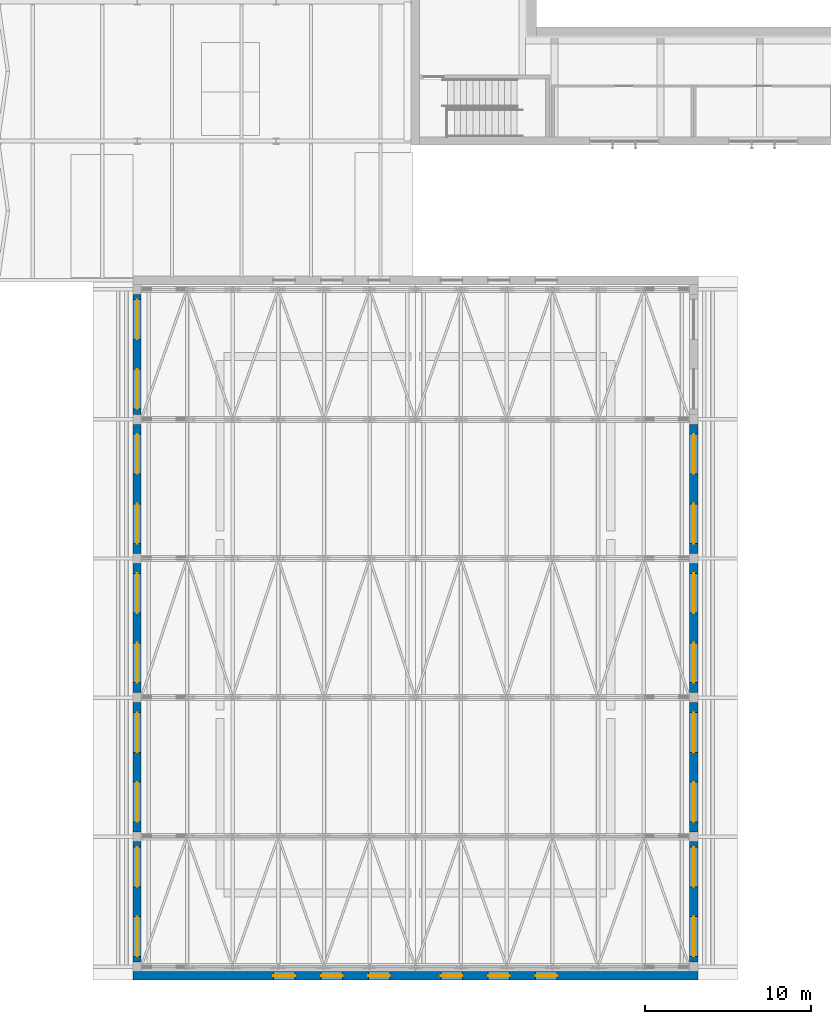
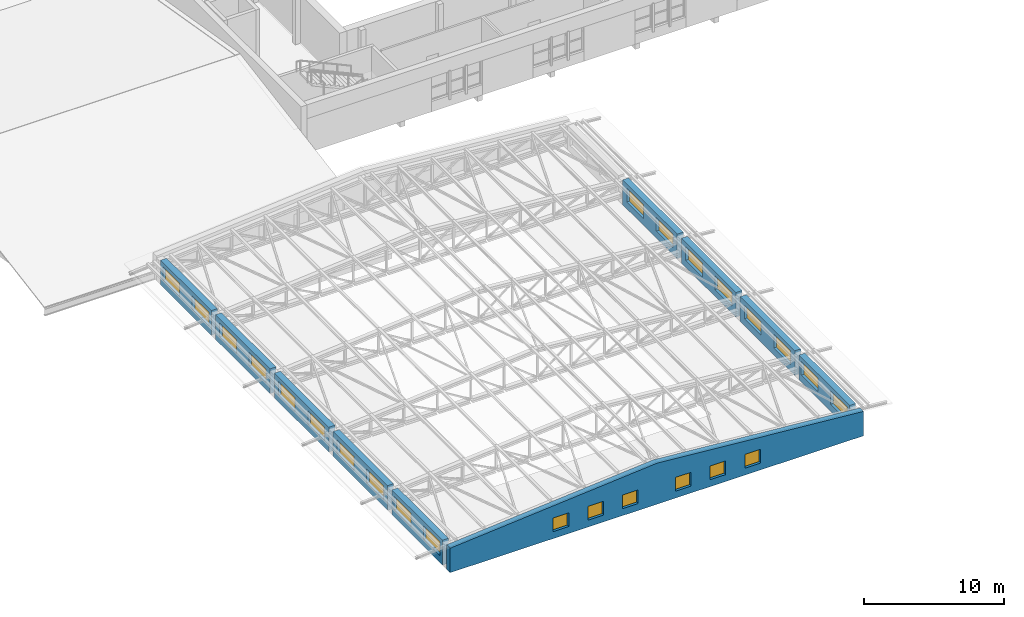
# One storey, part 38 of 60: 24 windows, 10 walls, 24 openings.
"""IFC4 building model written with IfcOpenShell, lengths in metres."""

from ifc_helpers import new_model, si_unit, direction, frame, frame_2d, origin, place, context, subcontext, project, spatial, polyline, rectangle, outline, extrude, material, layer, layer_set, type_object, element, fill, save


model = new_model("IFC4")

# Units and contexts
model_context = context("Model", 3, precision=1e-05, world=origin(), true_north=direction((0.0, 1.0)))
body_context = subcontext(model_context, "Body", "Model", "MODEL_VIEW")
ifc_project = project(units=[si_unit("LENGTHUNIT", "METRE"), si_unit("AREAUNIT", "SQUARE_METRE"), si_unit("VOLUMEUNIT", "CUBIC_METRE"), si_unit("PLANEANGLEUNIT", "RADIAN"), si_unit("MASSUNIT", "GRAM", prefix="KILO")], contexts=[model_context])

# Site, building, storey
site_placement = place(None, origin())
site = spatial("IfcSite", under=ifc_project, at=site_placement, CompositionType="ELEMENT")
building_placement = place(site_placement, origin())
building = spatial("IfcBuilding", under=site, at=building_placement, Name="Ljudholm Concert House", CompositionType="ELEMENT")
storey_placement = place(building_placement, frame((0.0, 0.0, 15.0)))
storey = spatial("IfcBuildingStorey", under=building, at=storey_placement, Name="L03", CompositionType="ELEMENT", Elevation=15.0)

# Wall, openings, windows
ifc_material_1 = material(Name="Concrete 6,500 psi", Category="concrete")
ifc_layer = layer(ifc_material_1, 0.5)
ifc_layer_set = layer_set([ifc_layer], Name="Concrete 6,500 psi")
wall_type = type_object("IfcWallType", Name="RC WALL 500", PredefinedType="SOLIDWALL", material=ifc_layer_set)
wall_1_placement = place(storey_placement, frame((12.39990234375, 4.85009765625, 0.0), z_axis=(0.0, 0.0, 1.0), x_axis=(0.0, 1.0, 0.0)))
wall_1 = element("IfcWall", 1, at=wall_1_placement, inside=storey, type_object=wall_type, Name="Outer wall W", PredefinedType="SOLIDWALL", context=body_context, shape_type="SweptSolid", body=[
    extrude(rectangle(XDim=7.25, YDim=0.5, at=frame_2d((3.625, 0.0))), origin(), (0.0, 0.0, 1.0), 2.1611328125),
])
opening_1_placement = place(wall_1_placement, frame((0.324951171875, 0.0, 0.60009765625)))
opening_1 = element("IfcOpeningElement", 2, at=opening_1_placement, cuts=wall_1, Name="Opening X-C03-001", PredefinedType="OPENING", context=body_context, shape_type="SweptSolid", body=[
    extrude(rectangle(XDim=2.39990234375, YDim=1.199951171875, at=frame_2d((1.199951171875, 0.60009765625))), frame((0.0, 0.260009765625, 0.0), z_axis=(0.0, -1.0, 0.0), x_axis=(1.0, 0.0, 0.0)), (0.0, 0.0, 1.0), 0.52001953125),
])
opening_2_placement = place(wall_1_placement, frame((4.52490234375, 0.0, 0.60009765625)))
opening_2 = element("IfcOpeningElement", 3, at=opening_2_placement, cuts=wall_1, Name="Opening X-C03-002", PredefinedType="OPENING", context=body_context, shape_type="SweptSolid", body=[
    extrude(rectangle(XDim=2.39990234375, YDim=1.199951171875, at=frame_2d((1.199951171875, 0.60009765625))), frame((0.0, 0.260009765625, 0.0), z_axis=(0.0, -1.0, 0.0), x_axis=(1.0, 0.0, 0.0)), (0.0, 0.0, 1.0), 0.52001953125),
])
ifc_material_2 = material(Name="Aluminium frame, impact glazing", Category="aluminium")
window_type_1 = type_object("IfcWindowType", Name="FIXED WINDOW 2400x1200", PartitioningType="SINGLE_PANEL", PredefinedType="WINDOW", material=ifc_material_2)
window_1_placement = place(opening_1_placement, origin())
window_1 = element("IfcWindow", 4, at=window_1_placement, inside=storey, type_object=window_type_1, Name="Clerestory window", OverallHeight=1.199951171875, OverallWidth=2.39990234375, PartitioningType="SINGLE_PANEL", PredefinedType="WINDOW", context=body_context, shape_type="SweptSolid", body=[
    extrude(rectangle(XDim=2.39990234375, YDim=1.199951171875, at=frame_2d((1.199951171875, 0.60009765625))), frame((0.0, 0.030029296875, 0.0), z_axis=(0.0, -1.0, 0.0), x_axis=(1.0, 0.0, 0.0)), (0.0, 0.0, 1.0), 0.06005859375),
])
fill(opening_1, window_1)
window_2_placement = place(opening_2_placement, origin())
window_2 = element("IfcWindow", 5, at=window_2_placement, inside=storey, type_object=window_type_1, Name="Clerestory window", OverallHeight=1.199951171875, OverallWidth=2.39990234375, PartitioningType="SINGLE_PANEL", PredefinedType="WINDOW", context=body_context, shape_type="SweptSolid", body=[
    extrude(rectangle(XDim=2.39990234375, YDim=1.199951171875, at=frame_2d((1.199951171875, 0.60009765625))), frame((0.0, 0.030029296875, 0.0), z_axis=(0.0, -1.0, 0.0), x_axis=(1.0, 0.0, 0.0)), (0.0, 0.0, 1.0), 0.06005859375),
])
fill(opening_2, window_2)

wall_2_placement = place(storey_placement, frame((12.39990234375, 12.699951171875, 0.0), z_axis=(0.0, 0.0, 1.0), x_axis=(0.0, 1.0, 0.0)))
wall_2 = element("IfcWall", 6, at=wall_2_placement, inside=storey, type_object=wall_type, Name="Outer wall W", PredefinedType="SOLIDWALL", context=body_context, shape_type="SweptSolid", body=[
    extrude(rectangle(XDim=7.800048828125, YDim=0.5, at=frame_2d((3.89990234375, 0.0))), origin(), (0.0, 0.0, 1.0), 2.1611328125),
])
opening_3_placement = place(wall_2_placement, frame((0.60009765625, 0.0, 0.60009765625)))
opening_3 = element("IfcOpeningElement", 7, at=opening_3_placement, cuts=wall_2, Name="Opening X-C03-003", PredefinedType="OPENING", context=body_context, shape_type="SweptSolid", body=[
    extrude(rectangle(XDim=2.39990234375, YDim=1.199951171875, at=frame_2d((1.199951171875, 0.60009765625))), frame((0.0, 0.260009765625, 0.0), z_axis=(0.0, -1.0, 0.0), x_axis=(1.0, 0.0, 0.0)), (0.0, 0.0, 1.0), 0.52001953125),
])
opening_4_placement = place(wall_2_placement, frame((4.800048828125, 0.0, 0.60009765625)))
opening_4 = element("IfcOpeningElement", 8, at=opening_4_placement, cuts=wall_2, Name="Opening X-C03-004", PredefinedType="OPENING", context=body_context, shape_type="SweptSolid", body=[
    extrude(rectangle(XDim=2.39990234375, YDim=1.199951171875, at=frame_2d((1.199951171875, 0.60009765625))), frame((0.0, 0.260009765625, 0.0), z_axis=(0.0, -1.0, 0.0), x_axis=(1.0, 0.0, 0.0)), (0.0, 0.0, 1.0), 0.52001953125),
])
window_3_placement = place(opening_3_placement, origin())
window_3 = element("IfcWindow", 9, at=window_3_placement, inside=storey, type_object=window_type_1, Name="Clerestory window", OverallHeight=1.199951171875, OverallWidth=2.39990234375, PartitioningType="SINGLE_PANEL", PredefinedType="WINDOW", context=body_context, shape_type="SweptSolid", body=[
    extrude(rectangle(XDim=2.39990234375, YDim=1.199951171875, at=frame_2d((1.199951171875, 0.60009765625))), frame((0.0, 0.030029296875, 0.0), z_axis=(0.0, -1.0, 0.0), x_axis=(1.0, 0.0, 0.0)), (0.0, 0.0, 1.0), 0.06005859375),
])
fill(opening_3, window_3)
window_4_placement = place(opening_4_placement, origin())
window_4 = element("IfcWindow", 10, at=window_4_placement, inside=storey, type_object=window_type_1, Name="Clerestory window", OverallHeight=1.199951171875, OverallWidth=2.39990234375, PartitioningType="SINGLE_PANEL", PredefinedType="WINDOW", context=body_context, shape_type="SweptSolid", body=[
    extrude(rectangle(XDim=2.39990234375, YDim=1.199951171875, at=frame_2d((1.199951171875, 0.60009765625))), frame((0.0, 0.030029296875, 0.0), z_axis=(0.0, -1.0, 0.0), x_axis=(1.0, 0.0, 0.0)), (0.0, 0.0, 1.0), 0.06005859375),
])
fill(opening_4, window_4)

wall_3_placement = place(storey_placement, frame((12.39990234375, 21.10009765625, 0.0), z_axis=(0.0, 0.0, 1.0), x_axis=(0.0, 1.0, 0.0)))
wall_3 = element("IfcWall", 11, at=wall_3_placement, inside=storey, type_object=wall_type, Name="Outer wall W", PredefinedType="SOLIDWALL", context=body_context, shape_type="SweptSolid", body=[
    extrude(rectangle(XDim=7.7998046875, YDim=0.5, at=frame_2d((3.89990234375, 0.0))), origin(), (0.0, 0.0, 1.0), 2.1611328125),
])
opening_5_placement = place(wall_3_placement, frame((0.60009765625, 0.0, 0.60009765625)))
opening_5 = element("IfcOpeningElement", 12, at=opening_5_placement, cuts=wall_3, Name="Opening X-C03-005", PredefinedType="OPENING", context=body_context, shape_type="SweptSolid", body=[
    extrude(rectangle(XDim=2.39990234375, YDim=1.199951171875, at=frame_2d((1.199951171875, 0.60009765625))), frame((0.0, 0.260009765625, 0.0), z_axis=(0.0, -1.0, 0.0), x_axis=(1.0, 0.0, 0.0)), (0.0, 0.0, 1.0), 0.52001953125),
])
opening_6_placement = place(wall_3_placement, frame((4.800048828125, 0.0, 0.60009765625)))
opening_6 = element("IfcOpeningElement", 13, at=opening_6_placement, cuts=wall_3, Name="Opening X-C03-006", PredefinedType="OPENING", context=body_context, shape_type="SweptSolid", body=[
    extrude(rectangle(XDim=2.39990234375, YDim=1.199951171875, at=frame_2d((1.199951171875, 0.60009765625))), frame((0.0, 0.260009765625, 0.0), z_axis=(0.0, -1.0, 0.0), x_axis=(1.0, 0.0, 0.0)), (0.0, 0.0, 1.0), 0.52001953125),
])
window_5_placement = place(opening_5_placement, origin())
window_5 = element("IfcWindow", 14, at=window_5_placement, inside=storey, type_object=window_type_1, Name="Clerestory window", OverallHeight=1.199951171875, OverallWidth=2.39990234375, PartitioningType="SINGLE_PANEL", PredefinedType="WINDOW", context=body_context, shape_type="SweptSolid", body=[
    extrude(rectangle(XDim=2.39990234375, YDim=1.199951171875, at=frame_2d((1.199951171875, 0.60009765625))), frame((0.0, 0.030029296875, 0.0), z_axis=(0.0, -1.0, 0.0), x_axis=(1.0, 0.0, 0.0)), (0.0, 0.0, 1.0), 0.06005859375),
])
fill(opening_5, window_5)
window_6_placement = place(opening_6_placement, origin())
window_6 = element("IfcWindow", 15, at=window_6_placement, inside=storey, type_object=window_type_1, Name="Clerestory window", OverallHeight=1.199951171875, OverallWidth=2.39990234375, PartitioningType="SINGLE_PANEL", PredefinedType="WINDOW", context=body_context, shape_type="SweptSolid", body=[
    extrude(rectangle(XDim=2.39990234375, YDim=1.199951171875, at=frame_2d((1.199951171875, 0.60009765625))), frame((0.0, 0.030029296875, 0.0), z_axis=(0.0, -1.0, 0.0), x_axis=(1.0, 0.0, 0.0)), (0.0, 0.0, 1.0), 0.06005859375),
])
fill(opening_6, window_6)

wall_4_placement = place(storey_placement, frame((12.39990234375, 29.5, 0.0), z_axis=(0.0, 0.0, 1.0), x_axis=(0.0, 1.0, 0.0)))
wall_4 = element("IfcWall", 16, at=wall_4_placement, inside=storey, type_object=wall_type, Name="Outer wall W", PredefinedType="SOLIDWALL", context=body_context, shape_type="SweptSolid", body=[
    extrude(rectangle(XDim=7.800048828125, YDim=0.5, at=frame_2d((3.89990234375, 0.0))), origin(), (0.0, 0.0, 1.0), 2.1611328125),
])
opening_7_placement = place(wall_4_placement, frame((0.60009765625, 0.0, 0.60009765625)))
opening_7 = element("IfcOpeningElement", 17, at=opening_7_placement, cuts=wall_4, Name="Opening X-C03-007", PredefinedType="OPENING", context=body_context, shape_type="SweptSolid", body=[
    extrude(rectangle(XDim=2.39990234375, YDim=1.199951171875, at=frame_2d((1.199951171875, 0.60009765625))), frame((0.0, 0.260009765625, 0.0), z_axis=(0.0, -1.0, 0.0), x_axis=(1.0, 0.0, 0.0)), (0.0, 0.0, 1.0), 0.52001953125),
])
opening_8_placement = place(wall_4_placement, frame((4.800048828125, 0.0, 0.60009765625)))
opening_8 = element("IfcOpeningElement", 18, at=opening_8_placement, cuts=wall_4, Name="Opening X-C03-008", PredefinedType="OPENING", context=body_context, shape_type="SweptSolid", body=[
    extrude(rectangle(XDim=2.39990234375, YDim=1.199951171875, at=frame_2d((1.199951171875, 0.60009765625))), frame((0.0, 0.260009765625, 0.0), z_axis=(0.0, -1.0, 0.0), x_axis=(1.0, 0.0, 0.0)), (0.0, 0.0, 1.0), 0.52001953125),
])
window_7_placement = place(opening_7_placement, origin())
window_7 = element("IfcWindow", 19, at=window_7_placement, inside=storey, type_object=window_type_1, Name="Clerestory window", OverallHeight=1.199951171875, OverallWidth=2.39990234375, PartitioningType="SINGLE_PANEL", PredefinedType="WINDOW", context=body_context, shape_type="SweptSolid", body=[
    extrude(rectangle(XDim=2.39990234375, YDim=1.199951171875, at=frame_2d((1.199951171875, 0.60009765625))), frame((0.0, 0.030029296875, 0.0), z_axis=(0.0, -1.0, 0.0), x_axis=(1.0, 0.0, 0.0)), (0.0, 0.0, 1.0), 0.06005859375),
])
fill(opening_7, window_7)
window_8_placement = place(opening_8_placement, origin())
window_8 = element("IfcWindow", 20, at=window_8_placement, inside=storey, type_object=window_type_1, Name="Clerestory window", OverallHeight=1.199951171875, OverallWidth=2.39990234375, PartitioningType="SINGLE_PANEL", PredefinedType="WINDOW", context=body_context, shape_type="SweptSolid", body=[
    extrude(rectangle(XDim=2.39990234375, YDim=1.199951171875, at=frame_2d((1.199951171875, 0.60009765625))), frame((0.0, 0.030029296875, 0.0), z_axis=(0.0, -1.0, 0.0), x_axis=(1.0, 0.0, 0.0)), (0.0, 0.0, 1.0), 0.06005859375),
])
fill(opening_8, window_8)

wall_5_placement = place(storey_placement, frame((12.39990234375, 37.89990234375, 0.0), z_axis=(0.0, 0.0, 1.0), x_axis=(0.0, 1.0, 0.0)))
wall_5 = element("IfcWall", 21, at=wall_5_placement, inside=storey, type_object=wall_type, Name="Outer wall W", PredefinedType="SOLIDWALL", context=body_context, shape_type="SweptSolid", body=[
    extrude(rectangle(XDim=7.25, YDim=0.5, at=frame_2d((3.625, 0.0))), origin(), (0.0, 0.0, 1.0), 2.1611328125),
])
opening_9_placement = place(wall_5_placement, frame((0.324951171875, 0.0, 0.60009765625)))
opening_9 = element("IfcOpeningElement", 22, at=opening_9_placement, cuts=wall_5, Name="Opening X-C03-009", PredefinedType="OPENING", context=body_context, shape_type="SweptSolid", body=[
    extrude(rectangle(XDim=2.39990234375, YDim=1.199951171875, at=frame_2d((1.199951171875, 0.60009765625))), frame((0.0, 0.260009765625, 0.0), z_axis=(0.0, -1.0, 0.0), x_axis=(1.0, 0.0, 0.0)), (0.0, 0.0, 1.0), 0.52001953125),
])
opening_10_placement = place(wall_5_placement, frame((4.52490234375, 0.0, 0.60009765625)))
opening_10 = element("IfcOpeningElement", 23, at=opening_10_placement, cuts=wall_5, Name="Opening X-C03-010", PredefinedType="OPENING", context=body_context, shape_type="SweptSolid", body=[
    extrude(rectangle(XDim=2.39990234375, YDim=1.199951171875, at=frame_2d((1.199951171875, 0.60009765625))), frame((0.0, 0.260009765625, 0.0), z_axis=(0.0, -1.0, 0.0), x_axis=(1.0, 0.0, 0.0)), (0.0, 0.0, 1.0), 0.52001953125),
])
window_9_placement = place(opening_9_placement, origin())
window_9 = element("IfcWindow", 24, at=window_9_placement, inside=storey, type_object=window_type_1, Name="Clerestory window", OverallHeight=1.199951171875, OverallWidth=2.39990234375, PartitioningType="SINGLE_PANEL", PredefinedType="WINDOW", context=body_context, shape_type="SweptSolid", body=[
    extrude(rectangle(XDim=2.39990234375, YDim=1.199951171875, at=frame_2d((1.199951171875, 0.60009765625))), frame((0.0, 0.030029296875, 0.0), z_axis=(0.0, -1.0, 0.0), x_axis=(1.0, 0.0, 0.0)), (0.0, 0.0, 1.0), 0.06005859375),
])
fill(opening_9, window_9)
window_10_placement = place(opening_10_placement, origin())
window_10 = element("IfcWindow", 25, at=window_10_placement, inside=storey, type_object=window_type_1, Name="Clerestory window", OverallHeight=1.199951171875, OverallWidth=2.39990234375, PartitioningType="SINGLE_PANEL", PredefinedType="WINDOW", context=body_context, shape_type="SweptSolid", body=[
    extrude(rectangle(XDim=2.39990234375, YDim=1.199951171875, at=frame_2d((1.199951171875, 0.60009765625))), frame((0.0, 0.030029296875, 0.0), z_axis=(0.0, -1.0, 0.0), x_axis=(1.0, 0.0, 0.0)), (0.0, 0.0, 1.0), 0.06005859375),
])
fill(opening_10, window_10)

wall_6_placement = place(storey_placement, frame((46.0, 4.85009765625, 0.0), z_axis=(0.0, 0.0, 1.0), x_axis=(0.0, 1.0, 0.0)))
wall_6 = element("IfcWall", 26, at=wall_6_placement, inside=storey, type_object=wall_type, Name="Outer wall E", PredefinedType="SOLIDWALL", context=body_context, shape_type="SweptSolid", body=[
    extrude(rectangle(XDim=7.25, YDim=0.5, at=frame_2d((3.625, 0.0))), origin(), (0.0, 0.0, 1.0), 2.1611328125),
])
opening_11_placement = place(wall_6_placement, frame((0.324951171875, 0.0, 0.60009765625)))
opening_11 = element("IfcOpeningElement", 27, at=opening_11_placement, cuts=wall_6, Name="Opening X-C03-011", PredefinedType="OPENING", context=body_context, shape_type="SweptSolid", body=[
    extrude(rectangle(XDim=2.39990234375, YDim=1.199951171875, at=frame_2d((1.199951171875, 0.60009765625))), frame((0.0, 0.260009765625, 0.0), z_axis=(0.0, -1.0, 0.0), x_axis=(1.0, 0.0, 0.0)), (0.0, 0.0, 1.0), 0.52001953125),
])
opening_12_placement = place(wall_6_placement, frame((4.52490234375, 0.0, 0.60009765625)))
opening_12 = element("IfcOpeningElement", 28, at=opening_12_placement, cuts=wall_6, Name="Opening X-C03-012", PredefinedType="OPENING", context=body_context, shape_type="SweptSolid", body=[
    extrude(rectangle(XDim=2.39990234375, YDim=1.199951171875, at=frame_2d((1.199951171875, 0.60009765625))), frame((0.0, 0.260009765625, 0.0), z_axis=(0.0, -1.0, 0.0), x_axis=(1.0, 0.0, 0.0)), (0.0, 0.0, 1.0), 0.52001953125),
])
window_11_placement = place(opening_11_placement, origin())
window_11 = element("IfcWindow", 29, at=window_11_placement, inside=storey, type_object=window_type_1, Name="Clerestory window", OverallHeight=1.199951171875, OverallWidth=2.39990234375, PartitioningType="SINGLE_PANEL", PredefinedType="WINDOW", context=body_context, shape_type="SweptSolid", body=[
    extrude(rectangle(XDim=2.39990234375, YDim=1.199951171875, at=frame_2d((1.199951171875, 0.60009765625))), frame((0.0, 0.030029296875, 0.0), z_axis=(0.0, -1.0, 0.0), x_axis=(1.0, 0.0, 0.0)), (0.0, 0.0, 1.0), 0.06005859375),
])
fill(opening_11, window_11)
window_12_placement = place(opening_12_placement, origin())
window_12 = element("IfcWindow", 30, at=window_12_placement, inside=storey, type_object=window_type_1, Name="Clerestory window", OverallHeight=1.199951171875, OverallWidth=2.39990234375, PartitioningType="SINGLE_PANEL", PredefinedType="WINDOW", context=body_context, shape_type="SweptSolid", body=[
    extrude(rectangle(XDim=2.39990234375, YDim=1.199951171875, at=frame_2d((1.199951171875, 0.60009765625))), frame((0.0, 0.030029296875, 0.0), z_axis=(0.0, -1.0, 0.0), x_axis=(1.0, 0.0, 0.0)), (0.0, 0.0, 1.0), 0.06005859375),
])
fill(opening_12, window_12)

wall_7_placement = place(storey_placement, frame((46.0, 12.699951171875, 0.0), z_axis=(0.0, 0.0, 1.0), x_axis=(0.0, 1.0, 0.0)))
wall_7 = element("IfcWall", 31, at=wall_7_placement, inside=storey, type_object=wall_type, Name="Outer wall E", PredefinedType="SOLIDWALL", context=body_context, shape_type="SweptSolid", body=[
    extrude(rectangle(XDim=7.800048828125, YDim=0.5, at=frame_2d((3.89990234375, 0.0))), origin(), (0.0, 0.0, 1.0), 2.1611328125),
])
opening_13_placement = place(wall_7_placement, frame((0.60009765625, 0.0, 0.60009765625)))
opening_13 = element("IfcOpeningElement", 32, at=opening_13_placement, cuts=wall_7, Name="Opening X-C03-013", PredefinedType="OPENING", context=body_context, shape_type="SweptSolid", body=[
    extrude(rectangle(XDim=2.39990234375, YDim=1.199951171875, at=frame_2d((1.199951171875, 0.60009765625))), frame((0.0, 0.260009765625, 0.0), z_axis=(0.0, -1.0, 0.0), x_axis=(1.0, 0.0, 0.0)), (0.0, 0.0, 1.0), 0.52001953125),
])
opening_14_placement = place(wall_7_placement, frame((4.800048828125, 0.0, 0.60009765625)))
opening_14 = element("IfcOpeningElement", 33, at=opening_14_placement, cuts=wall_7, Name="Opening X-C03-014", PredefinedType="OPENING", context=body_context, shape_type="SweptSolid", body=[
    extrude(rectangle(XDim=2.39990234375, YDim=1.199951171875, at=frame_2d((1.199951171875, 0.60009765625))), frame((0.0, 0.260009765625, 0.0), z_axis=(0.0, -1.0, 0.0), x_axis=(1.0, 0.0, 0.0)), (0.0, 0.0, 1.0), 0.52001953125),
])
window_13_placement = place(opening_13_placement, origin())
window_13 = element("IfcWindow", 34, at=window_13_placement, inside=storey, type_object=window_type_1, Name="Clerestory window", OverallHeight=1.199951171875, OverallWidth=2.39990234375, PartitioningType="SINGLE_PANEL", PredefinedType="WINDOW", context=body_context, shape_type="SweptSolid", body=[
    extrude(rectangle(XDim=2.39990234375, YDim=1.199951171875, at=frame_2d((1.199951171875, 0.60009765625))), frame((0.0, 0.030029296875, 0.0), z_axis=(0.0, -1.0, 0.0), x_axis=(1.0, 0.0, 0.0)), (0.0, 0.0, 1.0), 0.06005859375),
])
fill(opening_13, window_13)
window_14_placement = place(opening_14_placement, origin())
window_14 = element("IfcWindow", 35, at=window_14_placement, inside=storey, type_object=window_type_1, Name="Clerestory window", OverallHeight=1.199951171875, OverallWidth=2.39990234375, PartitioningType="SINGLE_PANEL", PredefinedType="WINDOW", context=body_context, shape_type="SweptSolid", body=[
    extrude(rectangle(XDim=2.39990234375, YDim=1.199951171875, at=frame_2d((1.199951171875, 0.60009765625))), frame((0.0, 0.030029296875, 0.0), z_axis=(0.0, -1.0, 0.0), x_axis=(1.0, 0.0, 0.0)), (0.0, 0.0, 1.0), 0.06005859375),
])
fill(opening_14, window_14)

wall_8_placement = place(storey_placement, frame((46.0, 21.10009765625, 0.0), z_axis=(0.0, 0.0, 1.0), x_axis=(0.0, 1.0, 0.0)))
wall_8 = element("IfcWall", 36, at=wall_8_placement, inside=storey, type_object=wall_type, Name="Outer wall E", PredefinedType="SOLIDWALL", context=body_context, shape_type="SweptSolid", body=[
    extrude(rectangle(XDim=7.7998046875, YDim=0.5, at=frame_2d((3.89990234375, 0.0))), origin(), (0.0, 0.0, 1.0), 2.1611328125),
])
opening_15_placement = place(wall_8_placement, frame((0.60009765625, 0.0, 0.60009765625)))
opening_15 = element("IfcOpeningElement", 37, at=opening_15_placement, cuts=wall_8, Name="Opening X-C03-015", PredefinedType="OPENING", context=body_context, shape_type="SweptSolid", body=[
    extrude(rectangle(XDim=2.39990234375, YDim=1.199951171875, at=frame_2d((1.199951171875, 0.60009765625))), frame((0.0, 0.260009765625, 0.0), z_axis=(0.0, -1.0, 0.0), x_axis=(1.0, 0.0, 0.0)), (0.0, 0.0, 1.0), 0.52001953125),
])
opening_16_placement = place(wall_8_placement, frame((4.800048828125, 0.0, 0.60009765625)))
opening_16 = element("IfcOpeningElement", 38, at=opening_16_placement, cuts=wall_8, Name="Opening X-C03-016", PredefinedType="OPENING", context=body_context, shape_type="SweptSolid", body=[
    extrude(rectangle(XDim=2.39990234375, YDim=1.199951171875, at=frame_2d((1.199951171875, 0.60009765625))), frame((0.0, 0.260009765625, 0.0), z_axis=(0.0, -1.0, 0.0), x_axis=(1.0, 0.0, 0.0)), (0.0, 0.0, 1.0), 0.52001953125),
])
window_15_placement = place(opening_15_placement, origin())
window_15 = element("IfcWindow", 39, at=window_15_placement, inside=storey, type_object=window_type_1, Name="Clerestory window", OverallHeight=1.199951171875, OverallWidth=2.39990234375, PartitioningType="SINGLE_PANEL", PredefinedType="WINDOW", context=body_context, shape_type="SweptSolid", body=[
    extrude(rectangle(XDim=2.39990234375, YDim=1.199951171875, at=frame_2d((1.199951171875, 0.60009765625))), frame((0.0, 0.030029296875, 0.0), z_axis=(0.0, -1.0, 0.0), x_axis=(1.0, 0.0, 0.0)), (0.0, 0.0, 1.0), 0.06005859375),
])
fill(opening_15, window_15)
window_16_placement = place(opening_16_placement, origin())
window_16 = element("IfcWindow", 40, at=window_16_placement, inside=storey, type_object=window_type_1, Name="Clerestory window", OverallHeight=1.199951171875, OverallWidth=2.39990234375, PartitioningType="SINGLE_PANEL", PredefinedType="WINDOW", context=body_context, shape_type="SweptSolid", body=[
    extrude(rectangle(XDim=2.39990234375, YDim=1.199951171875, at=frame_2d((1.199951171875, 0.60009765625))), frame((0.0, 0.030029296875, 0.0), z_axis=(0.0, -1.0, 0.0), x_axis=(1.0, 0.0, 0.0)), (0.0, 0.0, 1.0), 0.06005859375),
])
fill(opening_16, window_16)

wall_9_placement = place(storey_placement, frame((46.0, 29.5, 0.0), z_axis=(0.0, 0.0, 1.0), x_axis=(0.0, 1.0, 0.0)))
wall_9 = element("IfcWall", 41, at=wall_9_placement, inside=storey, type_object=wall_type, Name="Outer wall E", PredefinedType="SOLIDWALL", context=body_context, shape_type="SweptSolid", body=[
    extrude(rectangle(XDim=7.800048828125, YDim=0.5, at=frame_2d((3.89990234375, 0.0))), origin(), (0.0, 0.0, 1.0), 2.1611328125),
])
opening_17_placement = place(wall_9_placement, frame((0.60009765625, 0.0, 0.60009765625)))
opening_17 = element("IfcOpeningElement", 42, at=opening_17_placement, cuts=wall_9, Name="Opening X-C03-017", PredefinedType="OPENING", context=body_context, shape_type="SweptSolid", body=[
    extrude(rectangle(XDim=2.39990234375, YDim=1.199951171875, at=frame_2d((1.199951171875, 0.60009765625))), frame((0.0, 0.260009765625, 0.0), z_axis=(0.0, -1.0, 0.0), x_axis=(1.0, 0.0, 0.0)), (0.0, 0.0, 1.0), 0.52001953125),
])
opening_18_placement = place(wall_9_placement, frame((4.800048828125, 0.0, 0.60009765625)))
opening_18 = element("IfcOpeningElement", 43, at=opening_18_placement, cuts=wall_9, Name="Opening X-C03-018", PredefinedType="OPENING", context=body_context, shape_type="SweptSolid", body=[
    extrude(rectangle(XDim=2.39990234375, YDim=1.199951171875, at=frame_2d((1.199951171875, 0.60009765625))), frame((0.0, 0.260009765625, 0.0), z_axis=(0.0, -1.0, 0.0), x_axis=(1.0, 0.0, 0.0)), (0.0, 0.0, 1.0), 0.52001953125),
])
window_17_placement = place(opening_17_placement, origin())
window_17 = element("IfcWindow", 44, at=window_17_placement, inside=storey, type_object=window_type_1, Name="Clerestory window", OverallHeight=1.199951171875, OverallWidth=2.39990234375, PartitioningType="SINGLE_PANEL", PredefinedType="WINDOW", context=body_context, shape_type="SweptSolid", body=[
    extrude(rectangle(XDim=2.39990234375, YDim=1.199951171875, at=frame_2d((1.199951171875, 0.60009765625))), frame((0.0, 0.030029296875, 0.0), z_axis=(0.0, -1.0, 0.0), x_axis=(1.0, 0.0, 0.0)), (0.0, 0.0, 1.0), 0.06005859375),
])
fill(opening_17, window_17)
window_18_placement = place(opening_18_placement, origin())
window_18 = element("IfcWindow", 45, at=window_18_placement, inside=storey, type_object=window_type_1, Name="Clerestory window", OverallHeight=1.199951171875, OverallWidth=2.39990234375, PartitioningType="SINGLE_PANEL", PredefinedType="WINDOW", context=body_context, shape_type="SweptSolid", body=[
    extrude(rectangle(XDim=2.39990234375, YDim=1.199951171875, at=frame_2d((1.199951171875, 0.60009765625))), frame((0.0, 0.030029296875, 0.0), z_axis=(0.0, -1.0, 0.0), x_axis=(1.0, 0.0, 0.0)), (0.0, 0.0, 1.0), 0.06005859375),
])
fill(opening_18, window_18)

wall_10_placement = place(storey_placement, frame((12.14990234375, 4.0, 0.0), z_axis=(0.0, 0.0, 1.0), x_axis=(1.0, 0.0, 0.0)))
wall_10 = element("IfcWall", 46, at=wall_10_placement, inside=storey, type_object=wall_type, Name="Gable wall S", PredefinedType="SOLIDWALL", context=body_context, shape_type="SweptSolid", body=[
    extrude(outline(polyline([(0.0, 0.0), (34.10009765625, 0.0), (34.10009765625, 2.14013671875), (17.050048828125, 3.58251953125), (0.0, 2.14013671875), (0.0, 0.0)])), frame((0.0, 0.25, 0.0), z_axis=(0.0, -1.0, 0.0), x_axis=(1.0, 0.0, 0.0)), (0.0, 0.0, 1.0), 0.5),
])
opening_19_placement = place(wall_10_placement, frame((8.485107421875, 0.0, 0.60009765625)))
opening_19 = element("IfcOpeningElement", 47, at=opening_19_placement, cuts=wall_10, Name="Opening X-C03-021", PredefinedType="OPENING", context=body_context, shape_type="SweptSolid", body=[
    extrude(rectangle(XDim=1.300048828125, YDim=1.199951171875, at=frame_2d((0.64990234375, 0.60009765625))), frame((0.0, 0.260009765625, 0.0), z_axis=(0.0, -1.0, 0.0), x_axis=(1.0, 0.0, 0.0)), (0.0, 0.0, 1.0), 0.52001953125),
])
opening_20_placement = place(wall_10_placement, frame((11.363037109375, 0.0, 0.60009765625)))
opening_20 = element("IfcOpeningElement", 48, at=opening_20_placement, cuts=wall_10, Name="Opening X-C03-022", PredefinedType="OPENING", context=body_context, shape_type="SweptSolid", body=[
    extrude(rectangle(XDim=1.300048828125, YDim=1.199951171875, at=frame_2d((0.64990234375, 0.60009765625))), frame((0.0, 0.260009765625, 0.0), z_axis=(0.0, -1.0, 0.0), x_axis=(1.0, 0.0, 0.0)), (0.0, 0.0, 1.0), 0.52001953125),
])
opening_21_placement = place(wall_10_placement, frame((14.216064453125, 0.0, 0.60009765625)))
opening_21 = element("IfcOpeningElement", 49, at=opening_21_placement, cuts=wall_10, Name="Opening X-C03-023", PredefinedType="OPENING", context=body_context, shape_type="SweptSolid", body=[
    extrude(rectangle(XDim=1.300048828125, YDim=1.199951171875, at=frame_2d((0.64990234375, 0.60009765625))), frame((0.0, 0.260009765625, 0.0), z_axis=(0.0, -1.0, 0.0), x_axis=(1.0, 0.0, 0.0)), (0.0, 0.0, 1.0), 0.52001953125),
])
opening_22_placement = place(wall_10_placement, frame((18.583984375, 0.0, 0.60009765625)))
opening_22 = element("IfcOpeningElement", 50, at=opening_22_placement, cuts=wall_10, Name="Opening X-C03-024", PredefinedType="OPENING", context=body_context, shape_type="SweptSolid", body=[
    extrude(rectangle(XDim=1.300048828125, YDim=1.199951171875, at=frame_2d((0.64990234375, 0.60009765625))), frame((0.0, 0.260009765625, 0.0), z_axis=(0.0, -1.0, 0.0), x_axis=(1.0, 0.0, 0.0)), (0.0, 0.0, 1.0), 0.52001953125),
])
opening_23_placement = place(wall_10_placement, frame((21.43701171875, 0.0, 0.60009765625)))
opening_23 = element("IfcOpeningElement", 51, at=opening_23_placement, cuts=wall_10, Name="Opening X-C03-025", PredefinedType="OPENING", context=body_context, shape_type="SweptSolid", body=[
    extrude(rectangle(XDim=1.300048828125, YDim=1.199951171875, at=frame_2d((0.64990234375, 0.60009765625))), frame((0.0, 0.260009765625, 0.0), z_axis=(0.0, -1.0, 0.0), x_axis=(1.0, 0.0, 0.0)), (0.0, 0.0, 1.0), 0.52001953125),
])
opening_24_placement = place(wall_10_placement, frame((24.31494140625, 0.0, 0.60009765625)))
opening_24 = element("IfcOpeningElement", 52, at=opening_24_placement, cuts=wall_10, Name="Opening X-C03-026", PredefinedType="OPENING", context=body_context, shape_type="SweptSolid", body=[
    extrude(rectangle(XDim=1.300048828125, YDim=1.199951171875, at=frame_2d((0.64990234375, 0.60009765625))), frame((0.0, 0.260009765625, 0.0), z_axis=(0.0, -1.0, 0.0), x_axis=(1.0, 0.0, 0.0)), (0.0, 0.0, 1.0), 0.52001953125),
])
ifc_material_3 = material(Name="Aluminium frame, impact glazing", Category="aluminium")
window_type_2 = type_object("IfcWindowType", Name="FIXED WINDOW 1300x1200", PartitioningType="SINGLE_PANEL", PredefinedType="WINDOW", material=ifc_material_3)
window_19_placement = place(opening_19_placement, origin())
window_19 = element("IfcWindow", 53, at=window_19_placement, inside=storey, type_object=window_type_2, Name="Clerestory window", OverallHeight=1.199951171875, OverallWidth=1.300048828125, PartitioningType="SINGLE_PANEL", PredefinedType="WINDOW", context=body_context, shape_type="SweptSolid", body=[
    extrude(rectangle(XDim=1.300048828125, YDim=1.199951171875, at=frame_2d((0.64990234375, 0.60009765625))), frame((0.0, 0.030029296875, 0.0), z_axis=(0.0, -1.0, 0.0), x_axis=(1.0, 0.0, 0.0)), (0.0, 0.0, 1.0), 0.06005859375),
])
fill(opening_19, window_19)
window_20_placement = place(opening_20_placement, origin())
window_20 = element("IfcWindow", 54, at=window_20_placement, inside=storey, type_object=window_type_2, Name="Clerestory window", OverallHeight=1.199951171875, OverallWidth=1.300048828125, PartitioningType="SINGLE_PANEL", PredefinedType="WINDOW", context=body_context, shape_type="SweptSolid", body=[
    extrude(rectangle(XDim=1.300048828125, YDim=1.199951171875, at=frame_2d((0.64990234375, 0.60009765625))), frame((0.0, 0.030029296875, 0.0), z_axis=(0.0, -1.0, 0.0), x_axis=(1.0, 0.0, 0.0)), (0.0, 0.0, 1.0), 0.06005859375),
])
fill(opening_20, window_20)
window_21_placement = place(opening_21_placement, origin())
window_21 = element("IfcWindow", 55, at=window_21_placement, inside=storey, type_object=window_type_2, Name="Clerestory window", OverallHeight=1.199951171875, OverallWidth=1.300048828125, PartitioningType="SINGLE_PANEL", PredefinedType="WINDOW", context=body_context, shape_type="SweptSolid", body=[
    extrude(rectangle(XDim=1.300048828125, YDim=1.199951171875, at=frame_2d((0.64990234375, 0.60009765625))), frame((0.0, 0.030029296875, 0.0), z_axis=(0.0, -1.0, 0.0), x_axis=(1.0, 0.0, 0.0)), (0.0, 0.0, 1.0), 0.06005859375),
])
fill(opening_21, window_21)
window_22_placement = place(opening_22_placement, origin())
window_22 = element("IfcWindow", 56, at=window_22_placement, inside=storey, type_object=window_type_2, Name="Clerestory window", OverallHeight=1.199951171875, OverallWidth=1.300048828125, PartitioningType="SINGLE_PANEL", PredefinedType="WINDOW", context=body_context, shape_type="SweptSolid", body=[
    extrude(rectangle(XDim=1.300048828125, YDim=1.199951171875, at=frame_2d((0.64990234375, 0.60009765625))), frame((0.0, 0.030029296875, 0.0), z_axis=(0.0, -1.0, 0.0), x_axis=(1.0, 0.0, 0.0)), (0.0, 0.0, 1.0), 0.06005859375),
])
fill(opening_22, window_22)
window_23_placement = place(opening_23_placement, origin())
window_23 = element("IfcWindow", 57, at=window_23_placement, inside=storey, type_object=window_type_2, Name="Clerestory window", OverallHeight=1.199951171875, OverallWidth=1.300048828125, PartitioningType="SINGLE_PANEL", PredefinedType="WINDOW", context=body_context, shape_type="SweptSolid", body=[
    extrude(rectangle(XDim=1.300048828125, YDim=1.199951171875, at=frame_2d((0.64990234375, 0.60009765625))), frame((0.0, 0.030029296875, 0.0), z_axis=(0.0, -1.0, 0.0), x_axis=(1.0, 0.0, 0.0)), (0.0, 0.0, 1.0), 0.06005859375),
])
fill(opening_23, window_23)
window_24_placement = place(opening_24_placement, origin())
window_24 = element("IfcWindow", 58, at=window_24_placement, inside=storey, type_object=window_type_2, Name="Clerestory window", OverallHeight=1.199951171875, OverallWidth=1.300048828125, PartitioningType="SINGLE_PANEL", PredefinedType="WINDOW", context=body_context, shape_type="SweptSolid", body=[
    extrude(rectangle(XDim=1.300048828125, YDim=1.199951171875, at=frame_2d((0.64990234375, 0.60009765625))), frame((0.0, 0.030029296875, 0.0), z_axis=(0.0, -1.0, 0.0), x_axis=(1.0, 0.0, 0.0)), (0.0, 0.0, 1.0), 0.06005859375),
])
fill(opening_24, window_24)

save(model, "model.ifc")
